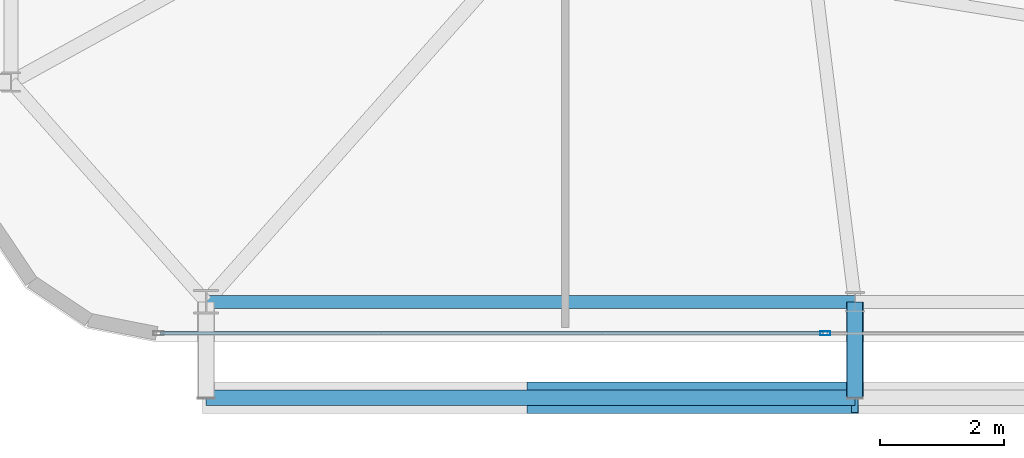
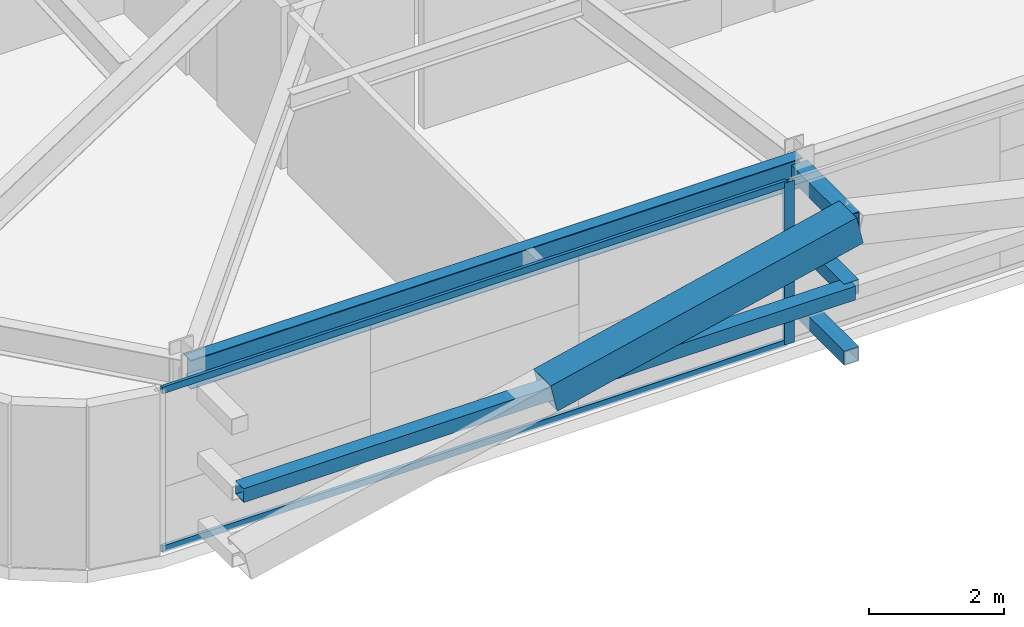
# One storey, part 6 of 44: 8 members, 1 beam, 1 element without a shape of its own.
"""IFC4 building model written with IfcOpenShell, lengths in metres."""

import ifcopenshell
import ifcopenshell.guid

model = None  # the IFC model being written
_history = None  # IfcOwnerHistory: only IFC2X3 demands one
_inside = {}  # id of a spatial element -> (the spatial element, [elements in it])
_under = {}  # id of a project, library or spatial element -> (it, [spatial elements below it])
_declared = {}  # id of a project -> (the project, [libraries it declares])
_typed = {}  # id of a type object -> (the type object, [elements of that type])
_made_of = {}  # id of a material, layer set ... -> (it, [elements and type objects made of it])


def new_model(schema):
    """Start an empty IFC model of exactly this schema.

    Asked for "IFC4X3", IfcOpenShell would pick the latest addendum, in which some entities
    have other attributes; the version numbers below select the first issue.
    IFC2X3 requires an IfcOwnerHistory on every rooted entity: one is made here for all.
    """
    global model, _history
    if schema == "IFC4X3":
        model = ifcopenshell.file(schema_version=(4, 3, 0, 0))
    else:
        model = ifcopenshell.file(schema=schema)
    _inside.clear()
    _under.clear()
    _declared.clear()
    _typed.clear()
    _made_of.clear()
    _history = None
    if model.schema == "IFC2X3":
        org = make("IfcOrganization", Name="unknown")
        user = make(
            "IfcPersonAndOrganization",
            ThePerson=make("IfcPerson", FamilyName="unknown"),
            TheOrganization=org,
        )
        app = make(
            "IfcApplication",
            ApplicationDeveloper=org,
            Version="unknown",
            ApplicationFullName="unknown",
            ApplicationIdentifier="unknown",
        )
        _history = make(
            "IfcOwnerHistory",
            OwningUser=user,
            OwningApplication=app,
            ChangeAction="ADDED",
            CreationDate=0,
        )
    return model


def make(cls, **values):
    """One entity of the class cls with the attributes given. An attribute that is None is left unset."""
    return model.create_entity(
        cls, **{name: value for name, value in values.items() if value is not None}
    )


def rooted(cls, **values):
    """An entity with a GlobalId (a new one), such as an element, a storey or a relation."""
    return make(cls, GlobalId=ifcopenshell.guid.new(), OwnerHistory=_history, **values)


def si_unit(unit_type, name, prefix=None):
    """IfcSIUnit, for example si_unit("LENGTHUNIT", "METRE", prefix="MILLI")."""
    return make("IfcSIUnit", UnitType=unit_type, Prefix=prefix, Name=name)


def assignment(units):
    """IfcUnitAssignment: the units of a project."""
    return None if units is None else make("IfcUnitAssignment", Units=units)


def point(xyz):
    """IfcCartesianPoint."""
    return None if xyz is None else make("IfcCartesianPoint", Coordinates=xyz)


def direction(xyz):
    """IfcDirection."""
    return None if xyz is None else make("IfcDirection", DirectionRatios=xyz)


def frame(location, z_axis=None, x_axis=None):
    """IfcAxis2Placement3D, a coordinate frame: its origin and axes. An axis left out is left unset."""
    return make(
        "IfcAxis2Placement3D",
        Location=point(location),
        Axis=direction(z_axis),
        RefDirection=direction(x_axis),
    )


def frame_2d(location, x_axis=None):
    """IfcAxis2Placement2D, a coordinate frame in the plane: its origin and x axis."""
    return make(
        "IfcAxis2Placement2D", Location=point(location), RefDirection=direction(x_axis)
    )


def origin():
    """The frame at (0, 0, 0) with its axes left unset."""
    return frame((0.0, 0.0, 0.0))


def origin_2d():
    """The frame at (0, 0) in the plane with its x axis left unset."""
    return frame_2d((0.0, 0.0))


def place(relative_to, where):
    """IfcLocalPlacement: puts the frame where relative to a parent placement (None: the world)."""
    return make(
        "IfcLocalPlacement", PlacementRelTo=relative_to, RelativePlacement=where
    )


def context(
    kind, dimensions, precision=None, world=None, true_north=None, identifier=None
):
    """IfcGeometricRepresentationContext, for example the 3D "Model" context."""
    return make(
        "IfcGeometricRepresentationContext",
        ContextIdentifier=identifier,
        ContextType=kind,
        CoordinateSpaceDimension=dimensions,
        Precision=precision,
        WorldCoordinateSystem=world,
        TrueNorth=true_north,
    )


def subcontext(parent, identifier, kind, view, scale=None):
    """IfcGeometricRepresentationSubContext, for example "Body" below "Model"."""
    return make(
        "IfcGeometricRepresentationSubContext",
        ContextIdentifier=identifier,
        ContextType=kind,
        ParentContext=parent,
        TargetScale=scale,
        TargetView=view,
    )


def project(units=None, contexts=None):
    """IfcProject with its units and contexts."""
    return rooted(
        "IfcProject",
        Name="project",
        RepresentationContexts=contexts,
        UnitsInContext=assignment(units),
    )


def spatial(cls, under=None, at=None, **own):
    """A site, building, storey or space (cls), placed at a placement, below another one or the project."""
    s = rooted(cls, ObjectPlacement=at, **own)
    if under is not None:
        _under.setdefault(under.id(), (under, []))[1].append(s)
    return s


def profile(cls, at=None, kind="AREA", **sizes):
    """A parametric profile (cls). Its sizes go by their IFC names, for example OverallWidth=200.0."""
    return make(cls, ProfileType=kind, Position=at, **sizes)


def hollow_rectangle(**sizes):
    """IfcRectangleHollowProfileDef."""
    return profile("IfcRectangleHollowProfileDef", **sizes)


def i_section(**sizes):
    """IfcIShapeProfileDef."""
    return profile("IfcIShapeProfileDef", **sizes)


def extrude(swept, where, along, depth):
    """IfcExtrudedAreaSolid: the profile swept, set in the frame where, extruded along a direction by depth."""
    return make(
        "IfcExtrudedAreaSolid",
        SweptArea=swept,
        Position=where,
        ExtrudedDirection=direction(along),
        Depth=depth,
    )


def shape(context_of_items, identifier, shape_type, items):
    """IfcShapeRepresentation: the items that make up one representation, for example the "Body"."""
    return make(
        "IfcShapeRepresentation",
        ContextOfItems=context_of_items,
        RepresentationIdentifier=identifier,
        RepresentationType=shape_type,
        Items=items,
    )


def source(mapping_origin, context_of_items, identifier, shape_type, items):
    """IfcRepresentationMap: a shape defined once, which mapped items show again and again."""
    return make(
        "IfcRepresentationMap",
        MappingOrigin=mapping_origin,
        MappedRepresentation=shape(context_of_items, identifier, shape_type, items),
    )


def transform(
    local_origin,
    x_axis=None,
    y_axis=None,
    z_axis=None,
    scale=None,
    scale2=None,
    scale3=None,
    uniform=True,
):
    """IfcCartesianTransformationOperator3D, or its non-uniform kind. x_axis, y_axis, z_axis: its Axis1, 2, 3."""
    if uniform:
        return make(
            "IfcCartesianTransformationOperator3D",
            Axis1=direction(x_axis),
            Axis2=direction(y_axis),
            LocalOrigin=point(local_origin),
            Scale=scale,
            Axis3=direction(z_axis),
        )
    return make(
        "IfcCartesianTransformationOperator3DnonUniform",
        Axis1=direction(x_axis),
        Axis2=direction(y_axis),
        LocalOrigin=point(local_origin),
        Scale=scale,
        Axis3=direction(z_axis),
        Scale2=scale2,
        Scale3=scale3,
    )


def mapped(mapping_source, mapping_target):
    """IfcMappedItem: shows the shape of a source again, moved by a transform."""
    return make(
        "IfcMappedItem", MappingSource=mapping_source, MappingTarget=mapping_target
    )


def material(Name=None, Category=None):
    """IfcMaterial."""
    return make("IfcMaterial", Name=Name, Category=Category)


def layer(
    of_material, thickness, ventilated=None, Name=None, Category=None, Priority=None
):
    """IfcMaterialLayer: one layer of a wall or slab, of a material (None: an air gap)."""
    return make(
        "IfcMaterialLayer",
        Material=of_material,
        LayerThickness=thickness,
        IsVentilated=ventilated,
        Name=Name,
        Category=Category,
        Priority=Priority,
    )


def layer_set(layers, Name=None):
    """IfcMaterialLayerSet."""
    return make("IfcMaterialLayerSet", MaterialLayers=layers, LayerSetName=Name)


def material_profile(
    of_material, cross_section, Name=None, Category=None, Priority=None
):
    """IfcMaterialProfile: a cross section and its material."""
    return make(
        "IfcMaterialProfile",
        Name=Name,
        Material=of_material,
        Profile=cross_section,
        Priority=Priority,
        Category=Category,
    )


def profile_set(profiles, Name=None, composite=None):
    """IfcMaterialProfileSet."""
    return make(
        "IfcMaterialProfileSet",
        Name=Name,
        MaterialProfiles=profiles,
        CompositeProfile=composite,
    )


def made_of(thing, what):
    """Note that an element or type object is made of a material, layer set ...; save() writes the relation."""
    if what is not None:
        _made_of.setdefault(what.id(), (what, []))[1].append(thing)
    return thing


def type_object(cls, material=None, **own):
    """A type object (cls), such as IfcWallType, which elements share."""
    return made_of(rooted(cls, **own), material)


def element(
    cls,
    number,
    at=None,
    inside=None,
    cuts=None,
    type_object=None,
    material=None,
    context=None,
    identifier="Body",
    shape_type=None,
    held_by="IfcProductDefinitionShape",
    body=None,
    shapes=None,
    **own,
):
    """One element of the class cls, such as IfcWall. Its Tag is "e" and its number.

    at: its placement. inside: the storey or other place that contains it. cuts: it is an
    opening in that element (IfcRelVoidsElement). A single representation is given by context,
    identifier, shape_type and body (its items); several are given by shapes. held_by: the class
    of the entity that holds the representations. save() writes the other relations.
    """
    e = rooted(cls, Tag="e%d" % number, ObjectPlacement=at, **own)
    if body is not None:
        shapes = [shape(context, identifier, shape_type, body)]
    if shapes is not None:
        e.Representation = make(held_by, Representations=shapes)
    if inside is not None:
        _inside.setdefault(inside.id(), (inside, []))[1].append(e)
    if cuts is not None:
        rooted(
            "IfcRelVoidsElement", RelatingBuildingElement=cuts, RelatedOpeningElement=e
        )
    if type_object is not None:
        _typed.setdefault(type_object.id(), (type_object, []))[1].append(e)
    return made_of(e, material)


def aggregate(whole, parts):
    """IfcRelAggregates: a whole, such as a stair, and the parts it consists of."""
    return rooted("IfcRelAggregates", RelatingObject=whole, RelatedObjects=parts)


def save(model, path):
    """Write the relations noted so far, then the file.

    IfcRelAggregates (storeys below a building ...), IfcRelContainedInSpatialStructure (elements
    in a storey), IfcRelDefinesByType, IfcRelAssociatesMaterial and IfcRelDeclares: one each for
    every whole, place, type object, material and project.
    """
    for whole, parts in _under.values():
        aggregate(whole, parts)
    for where, things in _inside.values():
        rooted(
            "IfcRelContainedInSpatialStructure",
            RelatedElements=things,
            RelatingStructure=where,
        )
    for kind, things in _typed.values():
        rooted("IfcRelDefinesByType", RelatedObjects=things, RelatingType=kind)
    for what, things in _made_of.values():
        rooted("IfcRelAssociatesMaterial", RelatedObjects=things, RelatingMaterial=what)
    for by, libraries in _declared.values():
        rooted("IfcRelDeclares", RelatingContext=by, RelatedDefinitions=libraries)
    model.write(path)


model = new_model("IFC4")

# Units and contexts
model_context = context("Model", 3, precision=1e-05, world=origin(), true_north=direction((0.0, 1.0)))
body_context = subcontext(model_context, "Body", "Model", "MODEL_VIEW")
ifc_project = project(units=[si_unit("LENGTHUNIT", "METRE"), si_unit("AREAUNIT", "SQUARE_METRE"), si_unit("VOLUMEUNIT", "CUBIC_METRE"), si_unit("PLANEANGLEUNIT", "RADIAN"), si_unit("MASSUNIT", "GRAM", prefix="KILO")], contexts=[model_context])

# Site, building, storey
site_placement = place(None, origin())
site = spatial("IfcSite", under=ifc_project, at=site_placement, CompositionType="ELEMENT")
building_placement = place(site_placement, origin())
building = spatial("IfcBuilding", under=site, at=building_placement, Name="Taldren Reach Tower", CompositionType="ELEMENT")
storey_placement = place(building_placement, frame((0.0, 0.0, 42.0)))
storey = spatial("IfcBuildingStorey", under=building, at=storey_placement, Name="L12", CompositionType="ELEMENT", Elevation=42.0)

# Beam
ifc_material_1 = material(Name="Steel Gr 350 (350PLUS)", Category="steel")
ifc_material_profile_1 = material_profile(ifc_material_1, i_section(OverallWidth=0.208984375, OverallDepth=0.528076171875, WebThickness=0.009521484375, FlangeThickness=0.01318359375, at=origin_2d()), Name="530UB82.0")
ifc_profile_set_1 = profile_set([ifc_material_profile_1], Name="Steel Gr 350 (350PLUS)")
beam_type = type_object("IfcBeamType", Name="SP-UB530B", PredefinedType="SPANDREL", material=ifc_profile_set_1)
shared_shape_1 = source(origin(), body_context, "Body", "SweptSolid", [
    extrude(i_section(OverallWidth=0.208984375, OverallDepth=0.528076171875, WebThickness=0.009521484375, FlangeThickness=0.01318359375, at=origin_2d()), origin(), (0.0, 0.0, 1.0), 10.47998046875),
])
beam_placement = place(storey_placement, frame((8.800048828125, 2.14990234375, 2.666015625), z_axis=(1.0, 0.0, 0.0), x_axis=(0.0, 1.0, 0.0)))
element("IfcBeam", 1, at=beam_placement, inside=storey, type_object=beam_type, Name="Perimeter spandrel B1 S1-S2 L12", PredefinedType="SPANDREL", context=body_context, shape_type="MappedRepresentation", body=[
    mapped(shared_shape_1, transform((0.0, 0.0, 0.0), scale=1.0)),
])

# Members
ifc_material_2 = material(Name="Steel Gr 450 (C450L0)", Category="steel")
ifc_material_profile_2 = material_profile(ifc_material_2, hollow_rectangle(XDim=0.27490234375, YDim=0.27490234375, WallThickness=0.00927734375, at=origin_2d()), Name="275x275x9.3SHS")
ifc_profile_set_2 = profile_set([ifc_material_profile_2], Name="Steel Gr 450 (C450L0)")
member_type_1 = type_object("IfcMemberType", Name="MB-TIE273", PredefinedType="STRUT", material=ifc_profile_set_2)
shared_shape_2 = source(origin(), body_context, "Body", "SweptSolid", [
    extrude(hollow_rectangle(XDim=0.27490234375, YDim=0.27490234375, WallThickness=0.00927734375, at=origin_2d()), origin(), (0.0, 0.0, 1.0), 1.5498046875),
])
member_1_placement = place(storey_placement, frame((19.280029296875, 2.14990234375, 2.64990234375), z_axis=(0.0, -1.0, 0.0), x_axis=(1.0, 0.0, 0.0)))
element("IfcMember", 2, at=member_1_placement, inside=storey, type_object=member_type_1, Name="Exoskeleton diaphragm tie strut B1-S2 L12", PredefinedType="STRUT", context=body_context, shape_type="MappedRepresentation", body=[
    mapped(shared_shape_2, transform((0.0, 0.0, 0.0), scale=1.0)),
])
ifc_material_profile_3 = material_profile(ifc_material_2, hollow_rectangle(XDim=0.510009765625, YDim=0.510009765625, WallThickness=0.02001953125, at=origin_2d()), Name="510x510x20.0SHS")
ifc_profile_set_3 = profile_set([ifc_material_profile_3], Name="Steel Gr 450 (C450L0)")
member_type_2 = type_object("IfcMemberType", Name="MB-EXO508", PredefinedType="BRACE", material=ifc_profile_set_3)
shared_shape_3 = source(origin(), body_context, "Body", "SweptSolid", [
    extrude(hollow_rectangle(XDim=0.510009765625, YDim=0.510009765625, WallThickness=0.02001953125, at=origin_2d()), origin(), (0.0, 0.0, 1.0), 5.37890625),
])
member_2_placement = place(storey_placement, frame((14.0400390625, 0.60009765625, 1.43505859375), z_axis=(0.974161966843, 0.0, 0.225850531007), x_axis=(0.0, 1.0, 0.0)))
element("IfcMember", 3, at=member_2_placement, inside=storey, type_object=member_type_2, Name="Exoskeleton Diagrid Brace B1-S1 L12", PredefinedType="BRACE", context=body_context, shape_type="MappedRepresentation", body=[
    mapped(shared_shape_3, transform((0.0, 0.0, 0.0), scale=1.0)),
])
ifc_material_3 = material(Name="Steel Gr 350 (C350L0)", Category="steel")
ifc_material_profile_4 = material_profile(ifc_material_3, hollow_rectangle(XDim=0.25, YDim=0.25, WallThickness=0.010009765625, at=origin_2d()), Name="250x250x10.0SHS")
ifc_profile_set_4 = profile_set([ifc_material_profile_4], Name="Steel Gr 350 (C350L0)")
member_type_3 = type_object("IfcMemberType", Name="MB-POST250", PredefinedType="POST", material=ifc_profile_set_4)
shared_shape_4 = source(origin(), body_context, "Body", "SweptSolid", [
    extrude(hollow_rectangle(XDim=0.25, YDim=0.25, WallThickness=0.010009765625, at=origin_2d()), origin(), (0.0, 0.0, 1.0), 10.47998046875),
])
member_3_placement = place(storey_placement, frame((8.800048828125, 0.60009765625, 1.43505859375), z_axis=(1.0, 0.0, 0.0), x_axis=(0.0, 1.0, 0.0)))
element("IfcMember", 4, at=member_3_placement, inside=storey, type_object=member_type_3, Name="Exoskeleton mid-height ring chord B1-S1 L12", PredefinedType="POST", context=body_context, shape_type="MappedRepresentation", body=[
    mapped(shared_shape_4, transform((0.0, 0.0, 0.0), scale=1.0)),
])
shared_shape_5 = source(origin(), body_context, "Body", "SweptSolid", [
    extrude(hollow_rectangle(XDim=0.25, YDim=0.25, WallThickness=0.010009765625, at=origin_2d()), origin(), (0.0, 0.0, 1.0), 1.5498046875),
])
for number, where, z_axis, x_axis, name in (
    (5, (19.280029296875, 2.14990234375, 0.219970703125), (0.0, -1.0, 0.0), (1.0, 0.0, 0.0), "Exoskeleton base diaphragm tie strut B1-S2 L12"),
    (6, (19.280029296875, 2.14990234375, 1.43505859375), (0.0, -1.0, 0.0), (1.0, 0.0, 0.0), "Exoskeleton mid-tier diaphragm tie B1-S2 L12"),
):
    element("IfcMember", number, at=place(storey_placement, frame(where, z_axis=z_axis, x_axis=x_axis)), inside=storey, type_object=member_type_3, Name=name, PredefinedType="POST", context=body_context, shape_type="MappedRepresentation", body=[
        mapped(shared_shape_5, transform((0.0, 0.0, 0.0), scale=1.0)),
    ])

# Curtain wall, members
ifc_material_4 = material(Name="Aluminium and Low-E Glass Unitised System", Category="aluminium")
ifc_layer = layer(ifc_material_4, 0.159912109375)
ifc_layer_set = layer_set([ifc_layer], Name="Aluminium and Low-E Glass Unitised System")
curtain_wall_type = type_object("IfcCurtainWallType", Name="CW-SYS-2", PredefinedType="NOTDEFINED", material=ifc_layer_set)
curtain_wall_placement = place(storey_placement, origin())
curtain_wall = element("IfcCurtainWall", 7, at=curtain_wall_placement, inside=storey, type_object=curtain_wall_type, Name="Unitised curtain wall CW-L12-S", PredefinedType="NOTDEFINED")
ifc_material_5 = material(Name="Anodised Aluminium 6063-T6", Category="aluminium")
ifc_material_profile_5 = material_profile(ifc_material_5, hollow_rectangle(XDim=0.06494140625, YDim=0.1650390625, WallThickness=0.00390625, at=origin_2d()), Name="ALU-165x65x4RHS")
ifc_profile_set_5 = profile_set([ifc_material_profile_5], Name="Anodised Aluminium 6063-T6")
member_type_4 = type_object("IfcMemberType", Name="CW-MUL-165", PredefinedType="MULLION", material=ifc_profile_set_5)
shared_shape_6 = source(origin(), body_context, "Body", "SweptSolid", [
    extrude(hollow_rectangle(XDim=0.06494140625, YDim=0.1650390625, WallThickness=0.00390625, at=origin_2d()), origin(), (0.0, 0.0, 1.0), 2.929931640625),
])
member_4_placement = place(storey_placement, frame((18.800048828125, 1.639892578125, 0.0), z_axis=(0.0, 0.0, 1.0), x_axis=(0.0, 1.0, 0.0)))
member_4 = element("IfcMember", 8, at=member_4_placement, type_object=member_type_4, Name="CW-2 mullion 2", PredefinedType="MULLION", context=body_context, shape_type="MappedRepresentation", body=[
    mapped(shared_shape_6, transform((0.0, 0.0, 0.0), scale=1.0)),
])
ifc_material_profile_6 = material_profile(ifc_material_5, hollow_rectangle(XDim=0.054931640625, YDim=0.1201171875, WallThickness=0.0029296875, at=origin_2d()), Name="ALU-120x55x3RHS")
ifc_profile_set_6 = profile_set([ifc_material_profile_6], Name="Anodised Aluminium 6063-T6")
member_type_5 = type_object("IfcMemberType", Name="CW-TRN-135", PredefinedType="USERDEFINED", material=ifc_profile_set_6)
shared_shape_7 = source(origin(), body_context, "Body", "SweptSolid", [
    extrude(hollow_rectangle(XDim=0.054931640625, YDim=0.1201171875, WallThickness=0.0029296875, at=origin_2d()), origin(), (0.0, 0.0, 1.0), 10.70263671875),
])
member_5_placement = place(storey_placement, frame((8.06494140625, 1.639892578125, 0.027587890625), z_axis=(1.0, 0.0, 0.0), x_axis=(0.0, 1.0, 0.0)))
member_5 = element("IfcMember", 9, at=member_5_placement, type_object=member_type_5, Name="CW-2 transom 1.1", ObjectType="TRANSOM", PredefinedType="USERDEFINED", context=body_context, shape_type="MappedRepresentation", body=[
    mapped(shared_shape_7, transform((0.0, 0.0, 0.0), scale=1.0)),
])
member_6_placement = place(storey_placement, frame((8.06494140625, 1.639892578125, 2.902587890625), z_axis=(1.0, 0.0, 0.0), x_axis=(0.0, 1.0, 0.0)))
member_6 = element("IfcMember", 10, at=member_6_placement, type_object=member_type_5, Name="CW-2 transom 1.2", ObjectType="TRANSOM", PredefinedType="USERDEFINED", context=body_context, shape_type="MappedRepresentation", body=[
    mapped(shared_shape_7, transform((0.0, 0.0, 0.0), scale=1.0)),
])
aggregate(curtain_wall, [member_4, member_5, member_6])

save(model, "model.ifc")
